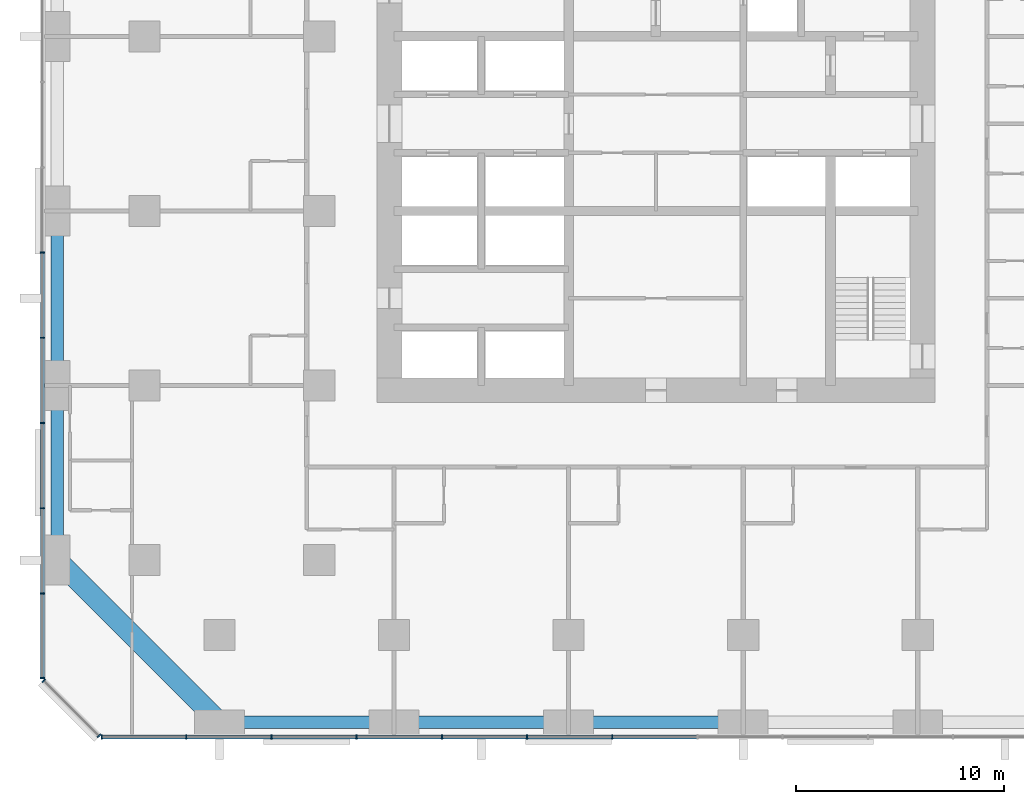
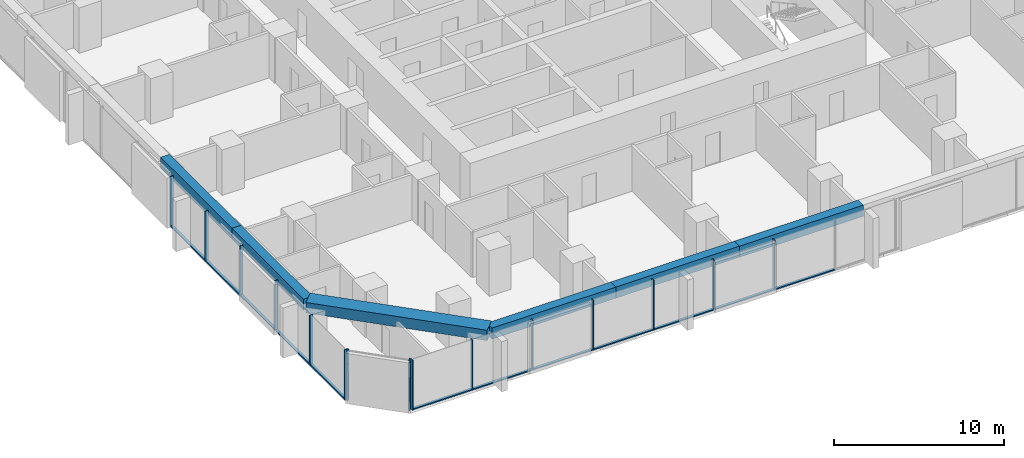
# One storey, part 2 of 13: 27 members, 6 beams, 3 elements without a shape of their own.
"""IFC4 building model written with IfcOpenShell, lengths in metres."""

from ifc_helpers import new_model, si_unit, direction, frame, origin, origin_2d, place, context, subcontext, project, spatial, rectangle, extrude, material, material_profile, profile_set, type_object, element, aggregate, save


model = new_model("IFC4")

# Units and contexts
model_context = context("Model", 3, precision=1e-05, world=origin(), true_north=direction((0.0, 1.0)))
body_context = subcontext(model_context, "Body", "Model", "MODEL_VIEW")
ifc_project = project(units=[si_unit("LENGTHUNIT", "METRE"), si_unit("AREAUNIT", "SQUARE_METRE"), si_unit("VOLUMEUNIT", "CUBIC_METRE"), si_unit("PLANEANGLEUNIT", "RADIAN"), si_unit("MASSUNIT", "GRAM", prefix="KILO")], contexts=[model_context])

# Site, building, storey
site_placement = place(None, origin())
site = spatial("IfcSite", under=ifc_project, at=site_placement, CompositionType="ELEMENT")
building_placement = place(site_placement, origin())
building = spatial("IfcBuilding", under=site, at=building_placement, Name="Dunama Terrace Hotel", CompositionType="ELEMENT")
storey_placement = place(building_placement, frame((0.0, 0.0, 115.199951171875)))
storey = spatial("IfcBuildingStorey", under=building, at=storey_placement, Name="L29", CompositionType="ELEMENT", Elevation=115.199951171875)

# Curtain wall, members
ifc_material_1 = material(Name="Aluminium curtain wall system", Category="aluminium")
curtain_wall_type = type_object("IfcCurtainWallType", Name="Unitised fritted glass wall CW-B", PredefinedType="NOTDEFINED", material=ifc_material_1)
curtain_wall_1_placement = place(storey_placement, origin())
curtain_wall_1 = element("IfcCurtainWall", 1, at=curtain_wall_1_placement, inside=storey, type_object=curtain_wall_type, Name="Unitised fritted glass wall CW-B L29", PredefinedType="NOTDEFINED")
ifc_material_2 = material(Name="Aluminium mullion", Category="aluminium")
ifc_material_profile_1 = material_profile(ifc_material_2, rectangle(XDim=0.06494140625, YDim=0.219970703125, at=origin_2d()), Name="CWB MULLION 65X220")
ifc_profile_set_1 = profile_set([ifc_material_profile_1], Name="Aluminium mullion")
member_type_1 = type_object("IfcMemberType", Name="CWB mullion 65x220", PredefinedType="MULLION", material=ifc_profile_set_1)
member_1_placement = place(storey_placement, frame((2.73291015625, -0.110107421875, 0.0), z_axis=(0.0, 0.0, 1.0), x_axis=(1.0, 0.0, 0.0)))
member_1 = element("IfcMember", 2, at=member_1_placement, type_object=member_type_1, Name="CWB mullion", PredefinedType="MULLION", context=body_context, shape_type="SweptSolid", body=[
    extrude(rectangle(XDim=0.06494140625, YDim=0.219970703125, at=origin_2d()), origin(), (0.0, 0.0, 1.0), 3.60009765625),
])
member_2_placement = place(storey_placement, frame((6.800048828125, -0.110107421875, 0.0), z_axis=(0.0, 0.0, 1.0), x_axis=(1.0, 0.0, 0.0)))
member_2 = element("IfcMember", 3, at=member_2_placement, type_object=member_type_1, Name="CWB mullion", PredefinedType="MULLION", context=body_context, shape_type="SweptSolid", body=[
    extrude(rectangle(XDim=0.06494140625, YDim=0.219970703125, at=origin_2d()), origin(), (0.0, 0.0, 1.0), 3.60009765625),
])
member_3_placement = place(storey_placement, frame((10.89990234375, -0.110107421875, 0.0), z_axis=(0.0, 0.0, 1.0), x_axis=(1.0, 0.0, 0.0)))
member_3 = element("IfcMember", 4, at=member_3_placement, type_object=member_type_1, Name="CWB mullion", PredefinedType="MULLION", context=body_context, shape_type="SweptSolid", body=[
    extrude(rectangle(XDim=0.06494140625, YDim=0.219970703125, at=origin_2d()), origin(), (0.0, 0.0, 1.0), 3.60009765625),
])
member_4_placement = place(storey_placement, frame((15.0, -0.110107421875, 0.0), z_axis=(0.0, 0.0, 1.0), x_axis=(1.0, 0.0, 0.0)))
member_4 = element("IfcMember", 5, at=member_4_placement, type_object=member_type_1, Name="CWB mullion", PredefinedType="MULLION", context=body_context, shape_type="SweptSolid", body=[
    extrude(rectangle(XDim=0.06494140625, YDim=0.219970703125, at=origin_2d()), origin(), (0.0, 0.0, 1.0), 3.60009765625),
])
member_5_placement = place(storey_placement, frame((19.10009765625, -0.110107421875, 0.0), z_axis=(0.0, 0.0, 1.0), x_axis=(1.0, 0.0, 0.0)))
member_5 = element("IfcMember", 6, at=member_5_placement, type_object=member_type_1, Name="CWB mullion", PredefinedType="MULLION", context=body_context, shape_type="SweptSolid", body=[
    extrude(rectangle(XDim=0.06494140625, YDim=0.219970703125, at=origin_2d()), origin(), (0.0, 0.0, 1.0), 3.60009765625),
])
member_6_placement = place(storey_placement, frame((23.199951171875, -0.110107421875, 0.0), z_axis=(0.0, 0.0, 1.0), x_axis=(1.0, 0.0, 0.0)))
member_6 = element("IfcMember", 7, at=member_6_placement, type_object=member_type_1, Name="CWB mullion", PredefinedType="MULLION", context=body_context, shape_type="SweptSolid", body=[
    extrude(rectangle(XDim=0.06494140625, YDim=0.219970703125, at=origin_2d()), origin(), (0.0, 0.0, 1.0), 3.60009765625),
])
member_7_placement = place(storey_placement, frame((27.300048828125, -0.110107421875, 0.0), z_axis=(0.0, 0.0, 1.0), x_axis=(1.0, 0.0, 0.0)))
member_7 = element("IfcMember", 8, at=member_7_placement, type_object=member_type_1, Name="CWB mullion", PredefinedType="MULLION", context=body_context, shape_type="SweptSolid", body=[
    extrude(rectangle(XDim=0.06494140625, YDim=0.219970703125, at=origin_2d()), origin(), (0.0, 0.0, 1.0), 3.60009765625),
])

curtain_wall_2_placement = place(storey_placement, origin())
curtain_wall_2 = element("IfcCurtainWall", 9, at=curtain_wall_2_placement, inside=storey, type_object=curtain_wall_type, Name="Unitised fritted glass wall CW-B L29", PredefinedType="NOTDEFINED")
member_8_placement = place(storey_placement, frame((-0.110107421875, 23.199951171875, 0.0), z_axis=(0.0, 0.0, 1.0), x_axis=(0.0, -1.0, 0.0)))
member_8 = element("IfcMember", 10, at=member_8_placement, type_object=member_type_1, Name="CWB mullion", PredefinedType="MULLION", context=body_context, shape_type="SweptSolid", body=[
    extrude(rectangle(XDim=0.06494140625, YDim=0.219970703125, at=origin_2d()), origin(), (0.0, 0.0, 1.0), 3.60009765625),
])
member_9_placement = place(storey_placement, frame((-0.110107421875, 19.10009765625, 0.0), z_axis=(0.0, 0.0, 1.0), x_axis=(0.0, -1.0, 0.0)))
member_9 = element("IfcMember", 11, at=member_9_placement, type_object=member_type_1, Name="CWB mullion", PredefinedType="MULLION", context=body_context, shape_type="SweptSolid", body=[
    extrude(rectangle(XDim=0.06494140625, YDim=0.219970703125, at=origin_2d()), origin(), (0.0, 0.0, 1.0), 3.60009765625),
])
member_10_placement = place(storey_placement, frame((-0.110107421875, 15.0, 0.0), z_axis=(0.0, 0.0, 1.0), x_axis=(0.0, -1.0, 0.0)))
member_10 = element("IfcMember", 12, at=member_10_placement, type_object=member_type_1, Name="CWB mullion", PredefinedType="MULLION", context=body_context, shape_type="SweptSolid", body=[
    extrude(rectangle(XDim=0.06494140625, YDim=0.219970703125, at=origin_2d()), origin(), (0.0, 0.0, 1.0), 3.60009765625),
])
member_11_placement = place(storey_placement, frame((-0.110107421875, 10.89990234375, 0.0), z_axis=(0.0, 0.0, 1.0), x_axis=(0.0, -1.0, 0.0)))
member_11 = element("IfcMember", 13, at=member_11_placement, type_object=member_type_1, Name="CWB mullion", PredefinedType="MULLION", context=body_context, shape_type="SweptSolid", body=[
    extrude(rectangle(XDim=0.06494140625, YDim=0.219970703125, at=origin_2d()), origin(), (0.0, 0.0, 1.0), 3.60009765625),
])
member_12_placement = place(storey_placement, frame((-0.110107421875, 6.800048828125, 0.0), z_axis=(0.0, 0.0, 1.0), x_axis=(0.0, -1.0, 0.0)))
member_12 = element("IfcMember", 14, at=member_12_placement, type_object=member_type_1, Name="CWB mullion", PredefinedType="MULLION", context=body_context, shape_type="SweptSolid", body=[
    extrude(rectangle(XDim=0.06494140625, YDim=0.219970703125, at=origin_2d()), origin(), (0.0, 0.0, 1.0), 3.60009765625),
])
member_13_placement = place(storey_placement, frame((-0.110107421875, 2.73291015625, 0.0), z_axis=(0.0, 0.0, 1.0), x_axis=(0.0, -1.0, 0.0)))
member_13 = element("IfcMember", 15, at=member_13_placement, type_object=member_type_1, Name="CWB mullion", PredefinedType="MULLION", context=body_context, shape_type="SweptSolid", body=[
    extrude(rectangle(XDim=0.06494140625, YDim=0.219970703125, at=origin_2d()), origin(), (0.0, 0.0, 1.0), 3.60009765625),
])

curtain_wall_3_placement = place(storey_placement, origin())
curtain_wall_3 = element("IfcCurtainWall", 16, at=curtain_wall_3_placement, inside=storey, type_object=curtain_wall_type, Name="Unitised fritted glass wall CW-B L29", PredefinedType="NOTDEFINED")
member_14_placement = place(storey_placement, frame((-0.054931640625, 2.59912109375, 0.0), z_axis=(0.0, 0.0, 1.0), x_axis=(0.707106781187, -0.707106781187, 0.0)))
member_14 = element("IfcMember", 17, at=member_14_placement, type_object=member_type_1, Name="CWB mullion", PredefinedType="MULLION", context=body_context, shape_type="SweptSolid", body=[
    extrude(rectangle(XDim=0.06494140625, YDim=0.219970703125, at=origin_2d()), origin(), (0.0, 0.0, 1.0), 3.60009765625),
])
member_15_placement = place(storey_placement, frame((2.59912109375, -0.054931640625, 0.0), z_axis=(0.0, 0.0, 1.0), x_axis=(0.707106781187, -0.707106781187, 0.0)))
member_15 = element("IfcMember", 18, at=member_15_placement, type_object=member_type_1, Name="CWB mullion", PredefinedType="MULLION", context=body_context, shape_type="SweptSolid", body=[
    extrude(rectangle(XDim=0.06494140625, YDim=0.219970703125, at=origin_2d()), origin(), (0.0, 0.0, 1.0), 3.60009765625),
])
aggregate(curtain_wall_3, [member_14, member_15])

# Member
ifc_material_3 = material(Name="Aluminium transom", Category="aluminium")
ifc_material_profile_2 = material_profile(ifc_material_3, rectangle(XDim=0.179931640625, YDim=0.080078125, at=origin_2d()), Name="CWB TRANSOM 180X80")
ifc_profile_set_2 = profile_set([ifc_material_profile_2], Name="Aluminium transom")
member_type_2 = type_object("IfcMemberType", Name="CWB transom 180x80", PredefinedType="USERDEFINED", material=ifc_profile_set_2)
member_16_placement = place(storey_placement, frame((2.764892578125, -0.110107421875, 0.0400390625), z_axis=(1.0, 0.0, 0.0), x_axis=(0.0, 1.0, 0.0)))
member_16 = element("IfcMember", 19, at=member_16_placement, type_object=member_type_2, Name="CWB transom", ObjectType="TRANSOM", PredefinedType="USERDEFINED", context=body_context, shape_type="SweptSolid", body=[
    extrude(rectangle(XDim=0.179931640625, YDim=0.080078125, at=origin_2d()), origin(), (0.0, 0.0, 1.0), 4.003173828125),
])

member_17_placement = place(storey_placement, frame((6.83203125, -0.110107421875, 0.0400390625), z_axis=(1.0, 0.0, 0.0), x_axis=(0.0, 1.0, 0.0)))
member_17 = element("IfcMember", 20, at=member_17_placement, type_object=member_type_2, Name="CWB transom", ObjectType="TRANSOM", PredefinedType="USERDEFINED", context=body_context, shape_type="SweptSolid", body=[
    extrude(rectangle(XDim=0.179931640625, YDim=0.080078125, at=origin_2d()), origin(), (0.0, 0.0, 1.0), 4.034912109375),
])

member_18_placement = place(storey_placement, frame((10.93310546875, -0.110107421875, 0.0400390625), z_axis=(1.0, 0.0, 0.0), x_axis=(0.0, 1.0, 0.0)))
member_18 = element("IfcMember", 21, at=member_18_placement, type_object=member_type_2, Name="CWB transom", ObjectType="TRANSOM", PredefinedType="USERDEFINED", context=body_context, shape_type="SweptSolid", body=[
    extrude(rectangle(XDim=0.179931640625, YDim=0.080078125, at=origin_2d()), origin(), (0.0, 0.0, 1.0), 4.033935546875),
])

member_19_placement = place(storey_placement, frame((15.031982421875, -0.110107421875, 0.0400390625), z_axis=(1.0, 0.0, 0.0), x_axis=(0.0, 1.0, 0.0)))
member_19 = element("IfcMember", 22, at=member_19_placement, type_object=member_type_2, Name="CWB transom", ObjectType="TRANSOM", PredefinedType="USERDEFINED", context=body_context, shape_type="SweptSolid", body=[
    extrude(rectangle(XDim=0.179931640625, YDim=0.080078125, at=origin_2d()), origin(), (0.0, 0.0, 1.0), 4.034912109375),
])

member_20_placement = place(storey_placement, frame((19.132080078125, -0.110107421875, 0.0400390625), z_axis=(1.0, 0.0, 0.0), x_axis=(0.0, 1.0, 0.0)))
member_20 = element("IfcMember", 23, at=member_20_placement, type_object=member_type_2, Name="CWB transom", ObjectType="TRANSOM", PredefinedType="USERDEFINED", context=body_context, shape_type="SweptSolid", body=[
    extrude(rectangle(XDim=0.179931640625, YDim=0.080078125, at=origin_2d()), origin(), (0.0, 0.0, 1.0), 4.035888671875),
])

member_21_placement = place(storey_placement, frame((23.23193359375, -0.110107421875, 0.0400390625), z_axis=(1.0, 0.0, 0.0), x_axis=(0.0, 1.0, 0.0)))
member_21 = element("IfcMember", 24, at=member_21_placement, type_object=member_type_2, Name="CWB transom", ObjectType="TRANSOM", PredefinedType="USERDEFINED", context=body_context, shape_type="SweptSolid", body=[
    extrude(rectangle(XDim=0.179931640625, YDim=0.080078125, at=origin_2d()), origin(), (0.0, 0.0, 1.0), 4.03515625),
])

member_22_placement = place(storey_placement, frame((27.33203125, -0.110107421875, 0.0400390625), z_axis=(1.0, 0.0, 0.0), x_axis=(0.0, 1.0, 0.0)))
member_22 = element("IfcMember", 25, at=member_22_placement, type_object=member_type_2, Name="CWB transom", ObjectType="TRANSOM", PredefinedType="USERDEFINED", context=body_context, shape_type="SweptSolid", body=[
    extrude(rectangle(XDim=0.179931640625, YDim=0.080078125, at=origin_2d()), origin(), (0.0, 0.0, 1.0), 4.034912109375),
])

aggregate(curtain_wall_1, [member_1, member_2, member_3, member_4, member_5, member_6, member_7, member_16, member_17, member_18, member_19, member_20, member_21, member_22])

member_23_placement = place(storey_placement, frame((-0.110107421875, 23.16796875, 0.0400390625), z_axis=(0.0, -1.0, 0.0), x_axis=(1.0, 0.0, 0.0)))
member_23 = element("IfcMember", 26, at=member_23_placement, type_object=member_type_2, Name="CWB transom", ObjectType="TRANSOM", PredefinedType="USERDEFINED", context=body_context, shape_type="SweptSolid", body=[
    extrude(rectangle(XDim=0.179931640625, YDim=0.080078125, at=origin_2d()), origin(), (0.0, 0.0, 1.0), 4.034912109375),
])

member_24_placement = place(storey_placement, frame((-0.110107421875, 19.068115234375, 0.0400390625), z_axis=(0.0, -1.0, 0.0), x_axis=(1.0, 0.0, 0.0)))
member_24 = element("IfcMember", 27, at=member_24_placement, type_object=member_type_2, Name="CWB transom", ObjectType="TRANSOM", PredefinedType="USERDEFINED", context=body_context, shape_type="SweptSolid", body=[
    extrude(rectangle(XDim=0.179931640625, YDim=0.080078125, at=origin_2d()), origin(), (0.0, 0.0, 1.0), 4.0361328125),
])

member_25_placement = place(storey_placement, frame((-0.110107421875, 14.968017578125, 0.0400390625), z_axis=(0.0, -1.0, 0.0), x_axis=(1.0, 0.0, 0.0)))
member_25 = element("IfcMember", 28, at=member_25_placement, type_object=member_type_2, Name="CWB transom", ObjectType="TRANSOM", PredefinedType="USERDEFINED", context=body_context, shape_type="SweptSolid", body=[
    extrude(rectangle(XDim=0.179931640625, YDim=0.080078125, at=origin_2d()), origin(), (0.0, 0.0, 1.0), 4.0361328125),
])

member_26_placement = place(storey_placement, frame((-0.110107421875, 10.866943359375, 0.0400390625), z_axis=(0.0, -1.0, 0.0), x_axis=(1.0, 0.0, 0.0)))
member_26 = element("IfcMember", 29, at=member_26_placement, type_object=member_type_2, Name="CWB transom", ObjectType="TRANSOM", PredefinedType="USERDEFINED", context=body_context, shape_type="SweptSolid", body=[
    extrude(rectangle(XDim=0.179931640625, YDim=0.080078125, at=origin_2d()), origin(), (0.0, 0.0, 1.0), 4.033935546875),
])

member_27_placement = place(storey_placement, frame((-0.110107421875, 6.76806640625, 0.0400390625), z_axis=(0.0, -1.0, 0.0), x_axis=(1.0, 0.0, 0.0)))
member_27 = element("IfcMember", 30, at=member_27_placement, type_object=member_type_2, Name="CWB transom", ObjectType="TRANSOM", PredefinedType="USERDEFINED", context=body_context, shape_type="SweptSolid", body=[
    extrude(rectangle(XDim=0.179931640625, YDim=0.080078125, at=origin_2d()), origin(), (0.0, 0.0, 1.0), 4.003173828125),
])

aggregate(curtain_wall_2, [member_8, member_9, member_10, member_11, member_12, member_13, member_23, member_24, member_25, member_26, member_27])

# Beams
ifc_material_4 = material(Name="Concrete C50/60", Category="concrete")
ifc_material_profile_3 = material_profile(ifc_material_4, rectangle(XDim=1.0, YDim=0.75, at=origin_2d()), Name="RC 1000x750")
ifc_profile_set_3 = profile_set([ifc_material_profile_3], Name="Concrete C50/60")
beam_type_1 = type_object("IfcBeamType", Name="Edge beam RC 1000x750", PredefinedType="SPANDREL", material=ifc_profile_set_3)
beam_1_placement = place(storey_placement, frame((8.39990234375, 0.60009765625, 3.22509765625), z_axis=(-0.707106781187, 0.707106781187, 0.0), x_axis=(-0.707106781187, -0.707106781187, 0.0)))
element("IfcBeam", 31, at=beam_1_placement, inside=storey, type_object=beam_type_1, Name="Corner edge beam under L30", PredefinedType="SPANDREL", context=body_context, shape_type="SweptSolid", body=[
    extrude(rectangle(XDim=1.0, YDim=0.75, at=origin_2d()), origin(), (0.0, 0.0, 1.0), 11.030517578125),
])
ifc_material_5 = material(Name="Concrete C40/50", Category="concrete")
ifc_material_profile_4 = material_profile(ifc_material_5, rectangle(XDim=0.60009765625, YDim=0.800048828125, at=origin_2d()), Name="RC 600x800")
ifc_profile_set_4 = profile_set([ifc_material_profile_4], Name="Concrete C40/50")
beam_type_2 = type_object("IfcBeamType", Name="Edge beam RC 600x800", PredefinedType="SPANDREL", material=ifc_profile_set_4)
beam_2_placement = place(storey_placement, frame((0.60009765625, 8.39990234375, 3.199951171875), z_axis=(0.0, 1.0, 0.0), x_axis=(-1.0, 0.0, 0.0)))
element("IfcBeam", 32, at=beam_2_placement, inside=storey, type_object=beam_type_2, Name="Edge beam under L30", PredefinedType="SPANDREL", context=body_context, shape_type="SweptSolid", body=[
    extrude(rectangle(XDim=0.60009765625, YDim=0.800048828125, at=origin_2d()), origin(), (0.0, 0.0, 1.0), 8.400146484375),
])
beam_3_placement = place(storey_placement, frame((0.60009765625, 16.800048828125, 3.199951171875), z_axis=(0.0, 1.0, 0.0), x_axis=(-1.0, 0.0, 0.0)))
element("IfcBeam", 33, at=beam_3_placement, inside=storey, type_object=beam_type_2, Name="Edge beam under L30", PredefinedType="SPANDREL", context=body_context, shape_type="SweptSolid", body=[
    extrude(rectangle(XDim=0.60009765625, YDim=0.800048828125, at=origin_2d()), origin(), (0.0, 0.0, 1.0), 8.39990234375),
])
beam_4_placement = place(storey_placement, frame((8.39990234375, 0.60009765625, 3.199951171875), z_axis=(1.0, 0.0, 0.0), x_axis=(0.0, 1.0, 0.0)))
element("IfcBeam", 34, at=beam_4_placement, inside=storey, type_object=beam_type_2, Name="Edge beam under L30", PredefinedType="SPANDREL", context=body_context, shape_type="SweptSolid", body=[
    extrude(rectangle(XDim=0.60009765625, YDim=0.800048828125, at=origin_2d()), origin(), (0.0, 0.0, 1.0), 8.400146484375),
])
beam_5_placement = place(storey_placement, frame((16.800048828125, 0.60009765625, 3.199951171875), z_axis=(1.0, 0.0, 0.0), x_axis=(0.0, 1.0, 0.0)))
element("IfcBeam", 35, at=beam_5_placement, inside=storey, type_object=beam_type_2, Name="Edge beam under L30", PredefinedType="SPANDREL", context=body_context, shape_type="SweptSolid", body=[
    extrude(rectangle(XDim=0.60009765625, YDim=0.800048828125, at=origin_2d()), origin(), (0.0, 0.0, 1.0), 8.39990234375),
])
beam_6_placement = place(storey_placement, frame((25.199951171875, 0.60009765625, 3.199951171875), z_axis=(1.0, 0.0, 0.0), x_axis=(0.0, 1.0, 0.0)))
element("IfcBeam", 36, at=beam_6_placement, inside=storey, type_object=beam_type_2, Name="Edge beam under L30", PredefinedType="SPANDREL", context=body_context, shape_type="SweptSolid", body=[
    extrude(rectangle(XDim=0.60009765625, YDim=0.800048828125, at=origin_2d()), origin(), (0.0, 0.0, 1.0), 8.400146484375),
])

save(model, "model.ifc")
